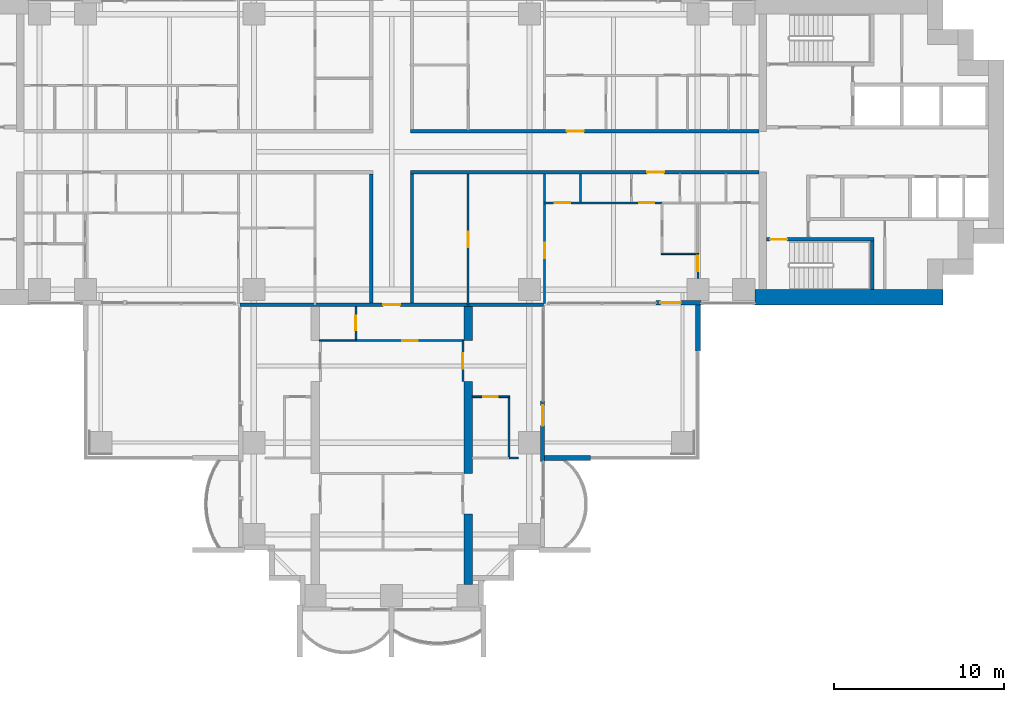
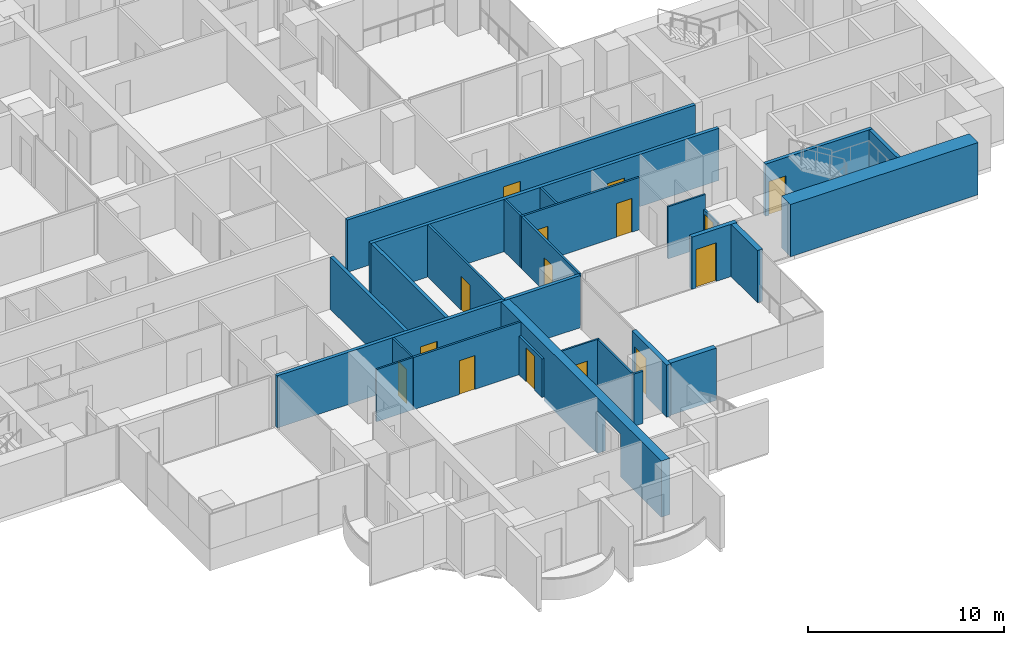
# One storey, part 12 of 21: 26 walls, 15 doors, 15 openings.
"""IFC4 building model written with IfcOpenShell, lengths in metres."""

from ifc_helpers import new_model, si_unit, direction, frame, frame_2d, origin, place, context, subcontext, project, spatial, polyline, rectangle, outline, extrude, material, layer, layer_set, material_profile, profile_set, type_object, element, fill, save


model = new_model("IFC4")

# Units and contexts
model_context = context("Model", 3, precision=1e-05, world=origin(), true_north=direction((0.0, 1.0)))
body_context = subcontext(model_context, "Body", "Model", "MODEL_VIEW")
ifc_project = project(units=[si_unit("LENGTHUNIT", "METRE"), si_unit("AREAUNIT", "SQUARE_METRE"), si_unit("VOLUMEUNIT", "CUBIC_METRE"), si_unit("PLANEANGLEUNIT", "RADIAN"), si_unit("MASSUNIT", "GRAM", prefix="KILO")], contexts=[model_context])

# Site, building, storey
site_placement = place(None, origin())
site = spatial("IfcSite", under=ifc_project, at=site_placement, CompositionType="ELEMENT")
building_placement = place(site_placement, origin())
building = spatial("IfcBuilding", under=site, at=building_placement, Name="Perihelion Cross Residences", CompositionType="ELEMENT")
storey_placement = place(building_placement, frame((0.0, 0.0, 57.5)))
storey = spatial("IfcBuildingStorey", under=building, at=storey_placement, Name="L11", CompositionType="ELEMENT", Elevation=57.5)

# Wall, opening, door
ifc_material_1 = material(Name="Plasterboard partition")
ifc_layer_1 = layer(ifc_material_1, 0.199951171875)
ifc_layer_set_1 = layer_set([ifc_layer_1], Name="Apartment separation wall 200")
wall_type_1 = type_object("IfcWallType", Name="Apartment separation wall 200", PredefinedType="PARTITIONING", material=ifc_layer_set_1)
wall_1_placement = place(storey_placement, frame((1.10009765625, 1.199951171875, 0.0), z_axis=(0.0, 0.0, 1.0), x_axis=(1.0, 0.0, 0.0)))
wall_1 = element("IfcWall", 1, at=wall_1_placement, inside=storey, type_object=wall_type_1, Name="Partition L11 W001", PredefinedType="PARTITIONING", context=body_context, shape_type="SweptSolid", body=[
    extrude(rectangle(XDim=20.5, YDim=0.199951171875, at=frame_2d((10.25, 0.0))), origin(), (0.0, 0.0, 1.0), 3.25),
])
opening_1_placement = place(wall_1_placement, frame((9.199951171875, 0.0, 0.0)))
opening_1 = element("IfcOpeningElement", 2, at=opening_1_placement, cuts=wall_1, Name="Opening L11.A53", PredefinedType="OPENING", context=body_context, shape_type="SweptSolid", body=[
    extrude(rectangle(XDim=1.0, YDim=2.10009765625, at=frame_2d((0.5, 1.050048828125))), frame((0.0, 0.10986328125, 0.0), z_axis=(0.0, -1.0, 0.0), x_axis=(1.0, 0.0, 0.0)), (0.0, 0.0, 1.0), 0.219970703125),
])
ifc_material_2 = material(Name="Timber door leaf", Category="wood")
door_type_1 = type_object("IfcDoorType", Name="Flat entrance door 1000 x 2100", OperationType="SINGLE_SWING_LEFT", PredefinedType="DOOR", material=ifc_material_2)
door_1_placement = place(opening_1_placement, origin())
door_1 = element("IfcDoor", 3, at=door_1_placement, inside=storey, type_object=door_type_1, Name="Door L11.A53", OperationType="SINGLE_SWING_LEFT", OverallHeight=2.10009765625, OverallWidth=1.0, PredefinedType="DOOR", context=body_context, shape_type="SweptSolid", body=[
    extrude(rectangle(XDim=1.0, YDim=2.10009765625, at=frame_2d((0.5, 1.050048828125))), frame((0.0, 0.02490234375, 0.0), z_axis=(0.0, -1.0, 0.0), x_axis=(1.0, 0.0, 0.0)), (0.0, 0.0, 1.0), 0.050048828125),
])
fill(opening_1, door_1)

wall_2_placement = place(storey_placement, frame((21.60009765625, -1.199951171875, 0.0), z_axis=(0.0, 0.0, 1.0), x_axis=(-1.0, 0.0, 0.0)))
wall_2 = element("IfcWall", 4, at=wall_2_placement, inside=storey, type_object=wall_type_1, Name="Partition L11 W003", PredefinedType="PARTITIONING", context=body_context, shape_type="SweptSolid", body=[
    extrude(rectangle(XDim=20.5, YDim=0.199951171875, at=frame_2d((10.25, 0.0))), origin(), (0.0, 0.0, 1.0), 3.25),
])
opening_2_placement = place(wall_2_placement, frame((5.574951171875, 0.0, 0.0)))
opening_2 = element("IfcOpeningElement", 5, at=opening_2_placement, cuts=wall_2, Name="Opening L11.A54", PredefinedType="OPENING", context=body_context, shape_type="SweptSolid", body=[
    extrude(rectangle(XDim=1.0, YDim=2.10009765625, at=frame_2d((0.5, 1.050048828125))), frame((0.0, 0.10986328125, 0.0), z_axis=(0.0, -1.0, 0.0), x_axis=(1.0, 0.0, 0.0)), (0.0, 0.0, 1.0), 0.219970703125),
])
door_2_placement = place(opening_2_placement, origin())
door_2 = element("IfcDoor", 6, at=door_2_placement, inside=storey, type_object=door_type_1, Name="Door L11.A54", OperationType="SINGLE_SWING_RIGHT", OverallHeight=2.10009765625, OverallWidth=1.0, PredefinedType="DOOR", context=body_context, shape_type="SweptSolid", body=[
    extrude(rectangle(XDim=1.0, YDim=2.10009765625, at=frame_2d((0.5, 1.050048828125))), frame((0.0, 0.02490234375, 0.0), z_axis=(0.0, -1.0, 0.0), x_axis=(1.0, 0.0, 0.0)), (0.0, 0.0, 1.0), 0.050048828125),
])
fill(opening_2, door_2)

# Walls
for number, where, z_axis, x_axis, name in (
    (7, (1.199951171875, -1.300048828125, 0.0), (0.0, 0.0, 1.0), (0.0, -1.0, 0.0), "Partition L11 W004"),
    (8, (-1.199951171875, -8.89990234375, 0.0), (0.0, 0.0, 1.0), (0.0, 1.0, 0.0), "Partition L11 W008"),
):
    element("IfcWall", number, at=place(storey_placement, frame(where, z_axis=z_axis, x_axis=x_axis)), inside=storey, type_object=wall_type_1, Name=name, PredefinedType="PARTITIONING", context=body_context, shape_type="SweptSolid", body=[
        extrude(rectangle(XDim=7.599853515625, YDim=0.199951171875, at=frame_2d((3.7998046875, 0.0))), origin(), (0.0, 0.0, 1.0), 3.25),
    ])

# Wall, opening, door
wall_3_placement = place(storey_placement, frame((8.919921875, -9.0, 0.0), z_axis=(0.0, 0.0, 1.0), x_axis=(-1.0, 0.0, 0.0)))
wall_3 = element("IfcWall", 9, at=wall_3_placement, inside=storey, type_object=wall_type_1, Name="Partition L11 W010", PredefinedType="PARTITIONING", context=body_context, shape_type="SweptSolid", body=[
    extrude(rectangle(XDim=17.83984375, YDim=0.199951171875, at=frame_2d((8.919921875, 0.0))), origin(), (0.0, 0.0, 1.0), 3.25),
])
opening_3_placement = place(wall_3_placement, frame((8.419921875, 0.0, 0.0)))
opening_3 = element("IfcOpeningElement", 10, at=opening_3_placement, cuts=wall_3, Name="Opening L11.A45", PredefinedType="OPENING", context=body_context, shape_type="SweptSolid", body=[
    extrude(rectangle(XDim=1.0, YDim=2.10009765625, at=frame_2d((0.5, 1.050048828125))), frame((0.0, 0.10986328125, 0.0), z_axis=(0.0, -1.0, 0.0), x_axis=(1.0, 0.0, 0.0)), (0.0, 0.0, 1.0), 0.219970703125),
])
door_3_placement = place(opening_3_placement, origin())
door_3 = element("IfcDoor", 11, at=door_3_placement, inside=storey, type_object=door_type_1, Name="Door L11.A45", OperationType="SINGLE_SWING_LEFT", OverallHeight=2.10009765625, OverallWidth=1.0, PredefinedType="DOOR", context=body_context, shape_type="SweptSolid", body=[
    extrude(rectangle(XDim=1.0, YDim=2.10009765625, at=frame_2d((0.5, 1.050048828125))), frame((0.0, 0.02490234375, 0.0), z_axis=(0.0, -1.0, 0.0), x_axis=(1.0, 0.0, 0.0)), (0.0, 0.0, 1.0), 0.050048828125),
])
fill(opening_3, door_3)

ifc_material_3 = material(Name="Concrete C30/37, bronze-clad", Category="concrete")
ifc_layer_2 = layer(ifc_material_3, 0.25)
ifc_layer_set_2 = layer_set([ifc_layer_2], Name="Bronze-clad pier wall 250")
wall_type_2 = type_object("IfcWallType", Name="Bronze-clad pier wall 250", PredefinedType="SOLIDWALL", material=ifc_layer_set_2)
wall_4_placement = place(storey_placement, frame((8.875, -18.199951171875, 0.0), z_axis=(0.0, 0.0, 1.0), x_axis=(0.0, 1.0, 0.0)))
wall_4 = element("IfcWall", 12, at=wall_4_placement, inside=storey, type_object=wall_type_2, Name="Wall FW1 L11 south side east bay 2 pier", PredefinedType="SOLIDWALL", context=body_context, shape_type="SweptSolid", body=[
    extrude(rectangle(XDim=3.550048828125, YDim=0.25, at=frame_2d((1.77490234375, 0.0))), origin(), (0.0, 0.0, 1.0), 3.25),
])
opening_4_placement = place(wall_4_placement, frame((2.10009765625, 0.0, 0.0)))
opening_4 = element("IfcOpeningElement", 13, at=opening_4_placement, cuts=wall_4, Name="Opening L11.E15", PredefinedType="OPENING", context=body_context, shape_type="SweptSolid", body=[
    extrude(rectangle(XDim=1.199951171875, YDim=2.39990234375, at=frame_2d((0.60009765625, 1.199951171875))), frame((0.0, 0.135009765625, 0.0), z_axis=(0.0, -1.0, 0.0), x_axis=(1.0, 0.0, 0.0)), (0.0, 0.0, 1.0), 0.27001953125),
])
ifc_material_4 = material(Name="Bronze anodised aluminium, glazed", Category="aluminium")
door_type_2 = type_object("IfcDoorType", Name="Balcony door 1200 x 2400", OperationType="NOTDEFINED", PredefinedType="DOOR", material=ifc_material_4)
door_4_placement = place(opening_4_placement, origin())
door_4 = element("IfcDoor", 14, at=door_4_placement, inside=storey, type_object=door_type_2, Name="Door L11.E15 south side east bay 2", OperationType="SINGLE_SWING_RIGHT", OverallHeight=2.39990234375, OverallWidth=1.199951171875, PredefinedType="DOOR", context=body_context, shape_type="SweptSolid", body=[
    extrude(rectangle(XDim=1.199951171875, YDim=2.39990234375, at=frame_2d((0.60009765625, 1.199951171875))), frame((0.0, 0.02490234375, 0.0), z_axis=(0.0, -1.0, 0.0), x_axis=(1.0, 0.0, 0.0)), (0.0, 0.0, 1.0), 0.050048828125),
])
fill(opening_4, door_4)

wall_5_placement = place(storey_placement, frame((15.550048828125, -8.875, 0.0), z_axis=(0.0, 0.0, 1.0), x_axis=(1.0, 0.0, 0.0)))
wall_5 = element("IfcWall", 15, at=wall_5_placement, inside=storey, type_object=wall_type_2, Name="Wall FW1 L11 east side south bay 1 pier", PredefinedType="SOLIDWALL", context=body_context, shape_type="SweptSolid", body=[
    extrude(rectangle(XDim=2.64990234375, YDim=0.25, at=frame_2d((1.324951171875, 0.0))), origin(), (0.0, 0.0, 1.0), 3.25),
])
opening_5_placement = place(wall_5_placement, frame((0.25, 0.0, 0.0)))
opening_5 = element("IfcOpeningElement", 16, at=opening_5_placement, cuts=wall_5, Name="Opening L11.E16", PredefinedType="OPENING", context=body_context, shape_type="SweptSolid", body=[
    extrude(rectangle(XDim=1.199951171875, YDim=2.39990234375, at=frame_2d((0.60009765625, 1.199951171875))), frame((0.0, 0.135009765625, 0.0), z_axis=(0.0, -1.0, 0.0), x_axis=(1.0, 0.0, 0.0)), (0.0, 0.0, 1.0), 0.27001953125),
])
door_5_placement = place(opening_5_placement, origin())
door_5 = element("IfcDoor", 17, at=door_5_placement, inside=storey, type_object=door_type_2, Name="Door L11.E16 east side south bay 1", OperationType="SINGLE_SWING_LEFT", OverallHeight=2.39990234375, OverallWidth=1.199951171875, PredefinedType="DOOR", context=body_context, shape_type="SweptSolid", body=[
    extrude(rectangle(XDim=1.199951171875, YDim=2.39990234375, at=frame_2d((0.60009765625, 1.199951171875))), frame((0.0, 0.02490234375, 0.0), z_axis=(0.0, -1.0, 0.0), x_axis=(1.0, 0.0, 0.0)), (0.0, 0.0, 1.0), 0.050048828125),
])
fill(opening_5, door_5)

# Wall
ifc_material_5 = material(Name="Concrete C60/75", Category="concrete")
ifc_layer_3 = layer(ifc_material_5, 0.89990234375)
ifc_layer_set_3 = layer_set([ifc_layer_3], Name="Core wall, outer 900")
wall_type_3 = type_object("IfcWallType", Name="Core wall, outer 900", PredefinedType="SHEAR", material=ifc_layer_set_3)
wall_6_placement = place(storey_placement, frame((21.35009765625, -8.550048828125, 0.0), z_axis=(0.0, 0.0, 1.0), x_axis=(1.0, 0.0, 0.0)))
element("IfcWall", 18, at=wall_6_placement, inside=storey, type_object=wall_type_3, Name="East core core wall, outer", PredefinedType="SHEAR", context=body_context, shape_type="SweptSolid", body=[
    extrude(rectangle(XDim=11.0498046875, YDim=0.89990234375, at=frame_2d((5.52490234375, 0.0))), origin(), (0.0, 0.0, 1.0), 3.25),
])

# Wall, opening, door
ifc_material_6 = material(Name="Plasterboard partition")
ifc_layer_4 = layer(ifc_material_6, 0.1201171875)
ifc_layer_set_4 = layer_set([ifc_layer_4], Name="Infill panel 120")
wall_type_4 = type_object("IfcWallType", Name="Infill panel 120", PredefinedType="PARTITIONING", material=ifc_layer_set_4)
wall_7_placement = place(storey_placement, frame((4.18994140625, -11.10009765625, 0.0), z_axis=(0.0, 0.0, 1.0), x_axis=(0.0, -1.0, 0.0)))
wall_7 = element("IfcWall", 19, at=wall_7_placement, inside=storey, type_object=wall_type_4, Name="Partition L11 WI05", PredefinedType="PARTITIONING", context=body_context, shape_type="SweptSolid", body=[
    extrude(rectangle(XDim=2.39990234375, YDim=0.1201171875, at=frame_2d((1.199951171875, 0.0))), origin(), (0.0, 0.0, 1.0), 2.39990234375),
])
opening_6_placement = place(wall_7_placement, frame((0.75, 0.0, 0.0)))
opening_6 = element("IfcOpeningElement", 20, at=opening_6_placement, cuts=wall_7, Name="Opening L11.A61", PredefinedType="OPENING", context=body_context, shape_type="SweptSolid", body=[
    extrude(rectangle(XDim=0.89990234375, YDim=2.10009765625, at=frame_2d((0.449951171875, 1.050048828125))), frame((0.0, 0.070068359375, 0.0), z_axis=(0.0, -1.0, 0.0), x_axis=(1.0, 0.0, 0.0)), (0.0, 0.0, 1.0), 0.14013671875),
])
ifc_material_7 = material(Name="Timber door leaf", Category="wood")
door_type_3 = type_object("IfcDoorType", Name="Interior room door 900 x 2100", OperationType="SINGLE_SWING_LEFT", PredefinedType="DOOR", material=ifc_material_7)
door_6_placement = place(opening_6_placement, origin())
door_6 = element("IfcDoor", 21, at=door_6_placement, inside=storey, type_object=door_type_3, Name="Door L11.A61", OperationType="SINGLE_SWING_RIGHT", OverallHeight=2.10009765625, OverallWidth=0.89990234375, PredefinedType="DOOR", context=body_context, shape_type="SweptSolid", body=[
    extrude(rectangle(XDim=0.89990234375, YDim=2.10009765625, at=frame_2d((0.449951171875, 1.050048828125))), frame((0.0, 0.02490234375, 0.0), z_axis=(0.0, -1.0, 0.0), x_axis=(1.0, 0.0, 0.0)), (0.0, 0.0, 1.0), 0.050048828125),
])
fill(opening_6, door_6)

# Wall
ifc_material_8 = material(Name="Plasterboard partition")
ifc_layer_5 = layer(ifc_material_8, 0.1201171875)
ifc_layer_set_5 = layer_set([ifc_layer_5], Name="Partition wall 120")
wall_type_5 = type_object("IfcWallType", Name="Partition wall 120", PredefinedType="PARTITIONING", material=ifc_layer_set_5)
wall_8_placement = place(storey_placement, frame((11.10009765625, -1.300048828125, 0.0), z_axis=(0.0, 0.0, 1.0), x_axis=(0.0, -1.0, 0.0)))
element("IfcWall", 22, at=wall_8_placement, inside=storey, type_object=wall_type_5, Name="Partition L11 W022", PredefinedType="PARTITIONING", context=body_context, shape_type="SweptSolid", body=[
    extrude(rectangle(XDim=1.639892578125, YDim=0.1201171875, at=frame_2d((0.81982421875, 0.0))), origin(), (0.0, 0.0, 1.0), 3.25),
])

# Wall, openings, doors
wall_9_placement = place(storey_placement, frame((15.89990234375, -3.0, 0.0), z_axis=(0.0, 0.0, 1.0), x_axis=(-1.0, 0.0, 0.0)))
wall_9 = element("IfcWall", 23, at=wall_9_placement, inside=storey, type_object=wall_type_5, Name="Partition L11 W023", PredefinedType="PARTITIONING", context=body_context, shape_type="SweptSolid", body=[
    extrude(rectangle(XDim=6.9599609375, YDim=0.1201171875, at=frame_2d((3.47998046875, 0.0))), origin(), (0.0, 0.0, 1.0), 3.25),
])
opening_7_placement = place(wall_9_placement, frame((0.449951171875, 0.0, 0.0)))
opening_7 = element("IfcOpeningElement", 24, at=opening_7_placement, cuts=wall_9, Name="Opening L11.A14", PredefinedType="OPENING", context=body_context, shape_type="SweptSolid", body=[
    extrude(rectangle(XDim=0.89990234375, YDim=2.10009765625, at=frame_2d((0.449951171875, 1.050048828125))), frame((0.0, 0.070068359375, 0.0), z_axis=(0.0, -1.0, 0.0), x_axis=(1.0, 0.0, 0.0)), (0.0, 0.0, 1.0), 0.14013671875),
])
opening_8_placement = place(wall_9_placement, frame((5.39990234375, 0.0, 0.0)))
opening_8 = element("IfcOpeningElement", 25, at=opening_8_placement, cuts=wall_9, Name="Opening L11.A16", PredefinedType="OPENING", context=body_context, shape_type="SweptSolid", body=[
    extrude(rectangle(XDim=0.89990234375, YDim=2.10009765625, at=frame_2d((0.449951171875, 1.050048828125))), frame((0.0, 0.070068359375, 0.0), z_axis=(0.0, -1.0, 0.0), x_axis=(1.0, 0.0, 0.0)), (0.0, 0.0, 1.0), 0.14013671875),
])
door_7_placement = place(opening_7_placement, origin())
door_7 = element("IfcDoor", 26, at=door_7_placement, inside=storey, type_object=door_type_3, Name="Door L11.A14", OperationType="SINGLE_SWING_LEFT", OverallHeight=2.10009765625, OverallWidth=0.89990234375, PredefinedType="DOOR", context=body_context, shape_type="SweptSolid", body=[
    extrude(rectangle(XDim=0.89990234375, YDim=2.10009765625, at=frame_2d((0.449951171875, 1.050048828125))), frame((0.0, 0.02490234375, 0.0), z_axis=(0.0, -1.0, 0.0), x_axis=(1.0, 0.0, 0.0)), (0.0, 0.0, 1.0), 0.050048828125),
])
fill(opening_7, door_7)
door_8_placement = place(opening_8_placement, origin())
door_8 = element("IfcDoor", 27, at=door_8_placement, inside=storey, type_object=door_type_3, Name="Door L11.A16", OperationType="SINGLE_SWING_LEFT", OverallHeight=2.10009765625, OverallWidth=0.89990234375, PredefinedType="DOOR", context=body_context, shape_type="SweptSolid", body=[
    extrude(rectangle(XDim=0.89990234375, YDim=2.10009765625, at=frame_2d((0.449951171875, 1.050048828125))), frame((0.0, 0.02490234375, 0.0), z_axis=(0.0, -1.0, 0.0), x_axis=(1.0, 0.0, 0.0)), (0.0, 0.0, 1.0), 0.050048828125),
])
fill(opening_8, door_8)

# Wall, opening, door
wall_10_placement = place(storey_placement, frame((9.0, -8.919921875, 0.0), z_axis=(0.0, 0.0, 1.0), x_axis=(0.0, 1.0, 0.0)))
wall_10 = element("IfcWall", 28, at=wall_10_placement, inside=storey, type_object=wall_type_5, Name="Partition L11 W024", PredefinedType="PARTITIONING", context=body_context, shape_type="SweptSolid", body=[
    extrude(rectangle(XDim=7.619873046875, YDim=0.1201171875, at=frame_2d((3.81005859375, 0.0))), origin(), (0.0, 0.0, 1.0), 3.25),
])
opening_9_placement = place(wall_10_placement, frame((2.669921875, 0.0, 0.0)))
opening_9 = element("IfcOpeningElement", 29, at=opening_9_placement, cuts=wall_10, Name="Opening L11.A15", PredefinedType="OPENING", context=body_context, shape_type="SweptSolid", body=[
    extrude(rectangle(XDim=0.89990234375, YDim=2.10009765625, at=frame_2d((0.449951171875, 1.050048828125))), frame((0.0, 0.070068359375, 0.0), z_axis=(0.0, -1.0, 0.0), x_axis=(1.0, 0.0, 0.0)), (0.0, 0.0, 1.0), 0.14013671875),
])
door_9_placement = place(opening_9_placement, origin())
door_9 = element("IfcDoor", 30, at=door_9_placement, inside=storey, type_object=door_type_3, Name="Door L11.A15", OperationType="SINGLE_SWING_LEFT", OverallHeight=2.10009765625, OverallWidth=0.89990234375, PredefinedType="DOOR", context=body_context, shape_type="SweptSolid", body=[
    extrude(rectangle(XDim=0.89990234375, YDim=2.10009765625, at=frame_2d((0.449951171875, 1.050048828125))), frame((0.0, 0.02490234375, 0.0), z_axis=(0.0, -1.0, 0.0), x_axis=(1.0, 0.0, 0.0)), (0.0, 0.0, 1.0), 0.050048828125),
])
fill(opening_9, door_9)

wall_11_placement = place(storey_placement, frame((18.0, -6.0, 0.0), z_axis=(0.0, 0.0, 1.0), x_axis=(0.0, -1.0, 0.0)))
wall_11 = element("IfcWall", 31, at=wall_11_placement, inside=storey, type_object=wall_type_5, Name="Partition L11 W032", PredefinedType="PARTITIONING", context=body_context, shape_type="SweptSolid", body=[
    extrude(rectangle(XDim=1.449951171875, YDim=0.1201171875, at=frame_2d((0.72509765625, 0.0))), origin(), (0.0, 0.0, 1.0), 2.345947265625),
])
opening_10_placement = place(wall_11_placement, frame((0.1201171875, 0.0, 0.0)))
opening_10 = element("IfcOpeningElement", 32, at=opening_10_placement, cuts=wall_11, Name="Opening L11.A12", PredefinedType="OPENING", context=body_context, shape_type="SweptSolid", body=[
    extrude(rectangle(XDim=0.89990234375, YDim=2.10009765625, at=frame_2d((0.449951171875, 1.050048828125))), frame((0.0, 0.070068359375, 0.0), z_axis=(0.0, -1.0, 0.0), x_axis=(1.0, 0.0, 0.0)), (0.0, 0.0, 1.0), 0.14013671875),
])
door_10_placement = place(opening_10_placement, origin())
door_10 = element("IfcDoor", 33, at=door_10_placement, inside=storey, type_object=door_type_3, Name="Door L11.A12", OperationType="SINGLE_SWING_RIGHT", OverallHeight=2.10009765625, OverallWidth=0.89990234375, PredefinedType="DOOR", context=body_context, shape_type="SweptSolid", body=[
    extrude(rectangle(XDim=0.89990234375, YDim=2.10009765625, at=frame_2d((0.449951171875, 1.050048828125))), frame((0.0, 0.02490234375, 0.0), z_axis=(0.0, -1.0, 0.0), x_axis=(1.0, 0.0, 0.0)), (0.0, 0.0, 1.0), 0.050048828125),
])
fill(opening_10, door_10)

wall_12_placement = place(storey_placement, frame((4.5, -9.0, 0.0), z_axis=(0.0, 0.0, 1.0), x_axis=(0.0, 1.0, 0.0)))
wall_12 = element("IfcWall", 34, at=wall_12_placement, inside=storey, type_object=wall_type_5, Name="Partition L11 W034", PredefinedType="PARTITIONING", context=body_context, shape_type="SweptSolid", body=[
    extrude(rectangle(XDim=7.699951171875, YDim=0.1201171875, at=frame_2d((3.85009765625, 0.0))), origin(), (0.0, 0.0, 1.0), 3.25),
])
opening_11_placement = place(wall_12_placement, frame((3.39990234375, 0.0, 0.0)))
opening_11 = element("IfcOpeningElement", 35, at=opening_11_placement, cuts=wall_12, Name="Opening L11.A10", PredefinedType="OPENING", context=body_context, shape_type="SweptSolid", body=[
    extrude(rectangle(XDim=0.89990234375, YDim=2.10009765625, at=frame_2d((0.449951171875, 1.050048828125))), frame((0.0, 0.070068359375, 0.0), z_axis=(0.0, -1.0, 0.0), x_axis=(1.0, 0.0, 0.0)), (0.0, 0.0, 1.0), 0.14013671875),
])
door_11_placement = place(opening_11_placement, origin())
door_11 = element("IfcDoor", 36, at=door_11_placement, inside=storey, type_object=door_type_3, Name="Door L11.A10", OperationType="SINGLE_SWING_LEFT", OverallHeight=2.10009765625, OverallWidth=0.89990234375, PredefinedType="DOOR", context=body_context, shape_type="SweptSolid", body=[
    extrude(rectangle(XDim=0.89990234375, YDim=2.10009765625, at=frame_2d((0.449951171875, 1.050048828125))), frame((0.0, 0.02490234375, 0.0), z_axis=(0.0, -1.0, 0.0), x_axis=(1.0, 0.0, 0.0)), (0.0, 0.0, 1.0), 0.050048828125),
])
fill(opening_11, door_11)

wall_13_placement = place(storey_placement, frame((4.25, -11.10009765625, 0.0), z_axis=(0.0, 0.0, 1.0), x_axis=(-1.0, 0.0, 0.0)))
wall_13 = element("IfcWall", 37, at=wall_13_placement, inside=storey, type_object=wall_type_5, Name="Partition L11 W079", PredefinedType="PARTITIONING", context=body_context, shape_type="SweptSolid", body=[
    extrude(rectangle(XDim=6.35009765625, YDim=0.1201171875, at=frame_2d((3.175048828125, 0.0))), origin(), (0.0, 0.0, 1.0), 3.25),
])
opening_12_placement = place(wall_13_placement, frame((2.72509765625, 0.0, 0.0)))
opening_12 = element("IfcOpeningElement", 38, at=opening_12_placement, cuts=wall_13, Name="Opening L11.A47", PredefinedType="OPENING", context=body_context, shape_type="SweptSolid", body=[
    extrude(rectangle(XDim=0.89990234375, YDim=2.10009765625, at=frame_2d((0.449951171875, 1.050048828125))), frame((0.0, 0.070068359375, 0.0), z_axis=(0.0, -1.0, 0.0), x_axis=(1.0, 0.0, 0.0)), (0.0, 0.0, 1.0), 0.14013671875),
])
door_12_placement = place(opening_12_placement, origin())
door_12 = element("IfcDoor", 39, at=door_12_placement, inside=storey, type_object=door_type_3, Name="Door L11.A47", OperationType="SINGLE_SWING_RIGHT", OverallHeight=2.10009765625, OverallWidth=0.89990234375, PredefinedType="DOOR", context=body_context, shape_type="SweptSolid", body=[
    extrude(rectangle(XDim=0.89990234375, YDim=2.10009765625, at=frame_2d((0.449951171875, 1.050048828125))), frame((0.0, 0.02490234375, 0.0), z_axis=(0.0, -1.0, 0.0), x_axis=(1.0, 0.0, 0.0)), (0.0, 0.0, 1.0), 0.050048828125),
])
fill(opening_12, door_12)

# Walls
wall_14_placement = place(storey_placement, frame((7.449951171875, -18.0, 0.0), z_axis=(0.0, 0.0, 1.0), x_axis=(-1.0, 0.0, 0.0)))
element("IfcWall", 40, at=wall_14_placement, inside=storey, type_object=wall_type_5, Name="Partition L11 W086", PredefinedType="PARTITIONING", context=body_context, shape_type="SweptSolid", body=[
    extrude(rectangle(XDim=0.550048828125, YDim=0.1201171875, at=frame_2d((0.27490234375, 0.0))), origin(), (0.0, 0.0, 1.0), 3.25),
])
ifc_material_9 = material(Name="Precast concrete C50/60", Category="concrete")
ifc_layer_6 = layer(ifc_material_9, 0.300048828125)
ifc_layer_set_6 = layer_set([ifc_layer_6], Name="Precast concrete C50/60 blade wall 300")
wall_type_6 = type_object("IfcWallType", Name="Precast concrete C50/60 blade wall 300", PredefinedType="SOLIDWALL", material=ifc_layer_set_6)
wall_15_placement = place(storey_placement, frame((9.0, -18.0, 0.0), z_axis=(0.0, 0.0, 1.0), x_axis=(1.0, 0.0, 0.0)))
element("IfcWall", 41, at=wall_15_placement, inside=storey, type_object=wall_type_6, Name="Wall BL1 L11 no. 15", PredefinedType="SOLIDWALL", context=body_context, shape_type="SweptSolid", body=[
    extrude(rectangle(XDim=2.699951171875, YDim=0.300048828125, at=frame_2d((1.35009765625, 0.0))), origin(), (0.0, 0.0, 1.0), 3.25),
])
wall_16_placement = place(storey_placement, frame((18.0, -8.75, 0.0), z_axis=(0.0, 0.0, 1.0), x_axis=(0.0, -1.0, 0.0)))
element("IfcWall", 42, at=wall_16_placement, inside=storey, type_object=wall_type_6, Name="Wall BL1 L11 no. 11", PredefinedType="SOLIDWALL", context=body_context, shape_type="SweptSolid", body=[
    extrude(rectangle(XDim=2.949951171875, YDim=0.300048828125, at=frame_2d((1.47509765625, 0.0))), origin(), (0.0, 0.0, 1.0), 3.25),
])

# Wall, opening, door
ifc_material_10 = material(Name="Concrete C50/60", Category="concrete")
ifc_layer_7 = layer(ifc_material_10, 0.199951171875)
ifc_layer_set_7 = layer_set([ifc_layer_7], Name="Stair wall 200")
wall_type_7 = type_object("IfcWallType", Name="Stair wall 200", PredefinedType="SOLIDWALL", material=ifc_layer_set_7)
wall_17_placement = place(storey_placement, frame((22.050048828125, -5.14990234375, 0.0), z_axis=(0.0, 0.0, 1.0), x_axis=(1.0, 0.0, 0.0)))
wall_17 = element("IfcWall", 43, at=wall_17_placement, inside=storey, type_object=wall_type_7, Name="East core stair wall", PredefinedType="SOLIDWALL", context=body_context, shape_type="SweptSolid", body=[
    extrude(rectangle(XDim=6.300048828125, YDim=0.199951171875, at=frame_2d((3.14990234375, 0.0))), origin(), (0.0, 0.0, 1.0), 3.25),
])
opening_13_placement = place(wall_17_placement, frame((0.199951171875, 0.0, 0.0)))
opening_13 = element("IfcOpeningElement", 44, at=opening_13_placement, cuts=wall_17, Name="Opening L11.C05", PredefinedType="OPENING", context=body_context, shape_type="SweptSolid", body=[
    extrude(rectangle(XDim=1.0, YDim=2.10009765625, at=frame_2d((0.5, 1.050048828125))), frame((0.0, 0.10986328125, 0.0), z_axis=(0.0, -1.0, 0.0), x_axis=(1.0, 0.0, 0.0)), (0.0, 0.0, 1.0), 0.219970703125),
])
ifc_material_11 = material(Name="Steel, powder coated", Category="steel")
door_type_4 = type_object("IfcDoorType", Name="Stair door 1000", OperationType="SINGLE_SWING_LEFT", PredefinedType="DOOR", material=ifc_material_11)
door_13_placement = place(opening_13_placement, origin())
door_13 = element("IfcDoor", 45, at=door_13_placement, inside=storey, type_object=door_type_4, Name="East core stair door", OperationType="SINGLE_SWING_LEFT", OverallHeight=2.10009765625, OverallWidth=1.0, PredefinedType="DOOR", context=body_context, shape_type="SweptSolid", body=[
    extrude(rectangle(XDim=1.0, YDim=2.10009765625, at=frame_2d((0.5, 1.050048828125))), frame((0.0, 0.02490234375, 0.0), z_axis=(0.0, -1.0, 0.0), x_axis=(1.0, 0.0, 0.0)), (0.0, 0.0, 1.0), 0.050048828125),
])
fill(opening_13, door_13)

# Walls
wall_18_placement = place(storey_placement, frame((28.25, -8.10009765625, 0.0), z_axis=(0.0, 0.0, 1.0), x_axis=(0.0, 1.0, 0.0)))
element("IfcWall", 46, at=wall_18_placement, inside=storey, type_object=wall_type_7, Name="East core stair wall", PredefinedType="SOLIDWALL", context=body_context, shape_type="SweptSolid", body=[
    extrude(rectangle(XDim=2.85009765625, YDim=0.199951171875, at=frame_2d((1.425048828125, 0.0))), origin(), (0.0, 0.0, 1.0), 3.25),
])
ifc_material_12 = material(Name="Concrete C60/75", Category="concrete")
ifc_material_profile = material_profile(ifc_material_12, outline(polyline([(0.0, 0.0), (4.14990234375, 0.0), (4.14990234375, 2.64990234375), (6.550048828125, 2.64990234375), (6.550048828125, 0.0), (11.949951171875, 0.0), (11.949951171875, 2.64990234375), (14.35009765625, 2.64990234375), (14.35009765625, 0.0), (16.449951171875, 0.0), (16.449951171875, 3.5), (0.0, 3.5), (0.0, 0.0)])), Name="Tip spine wall")
ifc_profile_set = profile_set([ifc_material_profile], Name="Concrete C60/75")
wall_type_8 = type_object("IfcWallType", Name="Tip spine wall 500 with 2 door openings 16450 long 3500 high concrete C60/75 hand A", PredefinedType="SHEAR", material=ifc_profile_set)
wall_19_placement = place(storey_placement, frame((4.25, -25.449951171875, -0.25), z_axis=(1.0, 0.0, 0.0), x_axis=(0.0, 1.0, 0.0)))
element("IfcWall", 47, at=wall_19_placement, inside=storey, type_object=wall_type_8, Name="Shear wall SW24 L11 south east", PredefinedType="SHEAR", context=body_context, shape_type="SweptSolid", body=[
    extrude(outline(polyline([(0.0, 0.0), (4.14990234375, 0.0), (4.14990234375, 2.64990234375), (6.550048828125, 2.64990234375), (6.550048828125, 0.0), (11.949951171875, 0.0), (11.949951171875, 2.64990234375), (14.35009765625, 2.64990234375), (14.35009765625, 0.0), (16.449951171875, 0.0), (16.449951171875, 3.5), (0.0, 3.5), (0.0, 0.0)])), origin(), (0.0, 0.0, 1.0), 0.5),
])
ifc_material_13 = material(Name="Plasterboard partition")
ifc_layer_8 = layer(ifc_material_13, 0.10009765625)
ifc_layer_set_8 = layer_set([ifc_layer_8], Name="Wet room wall 100")
wall_type_9 = type_object("IfcWallType", Name="Wet room wall 100", PredefinedType="PARTITIONING", material=ifc_layer_set_8)
wall_20_placement = place(storey_placement, frame((15.85009765625, -6.0, 0.0), z_axis=(0.0, 0.0, 1.0), x_axis=(1.0, 0.0, 0.0)))
element("IfcWall", 48, at=wall_20_placement, inside=storey, type_object=wall_type_9, Name="Partition L11 W031", PredefinedType="PARTITIONING", context=body_context, shape_type="SweptSolid", body=[
    extrude(rectangle(XDim=2.2099609375, YDim=0.10009765625, at=frame_2d((1.10498046875, 0.0))), origin(), (0.0, 0.0, 1.0), 3.25),
])

# Wall, opening, door
wall_21_placement = place(storey_placement, frame((-2.10009765625, -11.0400390625, 0.0), z_axis=(0.0, 0.0, 1.0), x_axis=(0.0, 1.0, 0.0)))
wall_21 = element("IfcWall", 49, at=wall_21_placement, inside=storey, type_object=wall_type_9, Name="Partition L11 W078", PredefinedType="PARTITIONING", context=body_context, shape_type="SweptSolid", body=[
    extrude(rectangle(XDim=1.93994140625, YDim=0.10009765625, at=frame_2d((0.969970703125, 0.0))), origin(), (0.0, 0.0, 1.0), 3.25),
])
opening_14_placement = place(wall_21_placement, frame((0.544921875, 0.0, 0.0)))
opening_14 = element("IfcOpeningElement", 50, at=opening_14_placement, cuts=wall_21, Name="Opening L11.A46", PredefinedType="OPENING", context=body_context, shape_type="SweptSolid", body=[
    extrude(rectangle(XDim=0.85009765625, YDim=2.10009765625, at=frame_2d((0.425048828125, 1.050048828125))), frame((0.0, 0.06005859375, 0.0), z_axis=(0.0, -1.0, 0.0), x_axis=(1.0, 0.0, 0.0)), (0.0, 0.0, 1.0), 0.1201171875),
])
ifc_material_14 = material(Name="Timber door leaf", Category="wood")
door_type_5 = type_object("IfcDoorType", Name="Interior bathroom door 850 x 2100", OperationType="SINGLE_SWING_LEFT", PredefinedType="DOOR", material=ifc_material_14)
door_14_placement = place(opening_14_placement, origin())
door_14 = element("IfcDoor", 51, at=door_14_placement, inside=storey, type_object=door_type_5, Name="Door L11.A46", OperationType="SINGLE_SWING_RIGHT", OverallHeight=2.10009765625, OverallWidth=0.85009765625, PredefinedType="DOOR", context=body_context, shape_type="SweptSolid", body=[
    extrude(rectangle(XDim=0.85009765625, YDim=2.10009765625, at=frame_2d((0.425048828125, 1.050048828125))), frame((0.0, 0.02490234375, 0.0), z_axis=(0.0, -1.0, 0.0), x_axis=(1.0, 0.0, 0.0)), (0.0, 0.0, 1.0), 0.050048828125),
])
fill(opening_14, door_14)

# Walls
wall_22_placement = place(storey_placement, frame((-2.10009765625, -11.10009765625, 0.0), z_axis=(0.0, 0.0, 1.0), x_axis=(-1.0, 0.0, 0.0)))
element("IfcWall", 52, at=wall_22_placement, inside=storey, type_object=wall_type_9, Name="Partition L11 W080", PredefinedType="PARTITIONING", context=body_context, shape_type="SweptSolid", body=[
    extrude(rectangle(XDim=2.14990234375, YDim=0.10009765625, at=frame_2d((1.074951171875, 0.0))), origin(), (0.0, 0.0, 1.0), 3.25),
])
wall_23_placement = place(storey_placement, frame((6.89990234375, -17.93994140625, 0.0), z_axis=(0.0, 0.0, 1.0), x_axis=(0.0, 1.0, 0.0)))
element("IfcWall", 53, at=wall_23_placement, inside=storey, type_object=wall_type_9, Name="Partition L11 W084", PredefinedType="PARTITIONING", context=body_context, shape_type="SweptSolid", body=[
    extrude(rectangle(XDim=3.489990234375, YDim=0.10009765625, at=frame_2d((1.7451171875, 0.0))), origin(), (0.0, 0.0, 1.0), 3.25),
])

# Wall, opening, door
wall_24_placement = place(storey_placement, frame((6.949951171875, -14.39990234375, 0.0), z_axis=(0.0, 0.0, 1.0), x_axis=(-1.0, 0.0, 0.0)))
wall_24 = element("IfcWall", 54, at=wall_24_placement, inside=storey, type_object=wall_type_9, Name="Partition L11 W085", PredefinedType="PARTITIONING", context=body_context, shape_type="SweptSolid", body=[
    extrude(rectangle(XDim=2.199951171875, YDim=0.10009765625, at=frame_2d((1.10009765625, 0.0))), origin(), (0.0, 0.0, 1.0), 3.25),
])
opening_15_placement = place(wall_24_placement, frame((0.699951171875, 0.0, 0.0)))
opening_15 = element("IfcOpeningElement", 55, at=opening_15_placement, cuts=wall_24, Name="Opening L11.A51", PredefinedType="OPENING", context=body_context, shape_type="SweptSolid", body=[
    extrude(rectangle(XDim=0.85009765625, YDim=2.10009765625, at=frame_2d((0.425048828125, 1.050048828125))), frame((0.0, 0.06005859375, 0.0), z_axis=(0.0, -1.0, 0.0), x_axis=(1.0, 0.0, 0.0)), (0.0, 0.0, 1.0), 0.1201171875),
])
door_15_placement = place(opening_15_placement, origin())
door_15 = element("IfcDoor", 56, at=door_15_placement, inside=storey, type_object=door_type_5, Name="Door L11.A51", OperationType="SINGLE_SWING_LEFT", OverallHeight=2.10009765625, OverallWidth=0.85009765625, PredefinedType="DOOR", context=body_context, shape_type="SweptSolid", body=[
    extrude(rectangle(XDim=0.85009765625, YDim=2.10009765625, at=frame_2d((0.425048828125, 1.050048828125))), frame((0.0, 0.02490234375, 0.0), z_axis=(0.0, -1.0, 0.0), x_axis=(1.0, 0.0, 0.0)), (0.0, 0.0, 1.0), 0.050048828125),
])
fill(opening_15, door_15)

save(model, "model.ifc")
